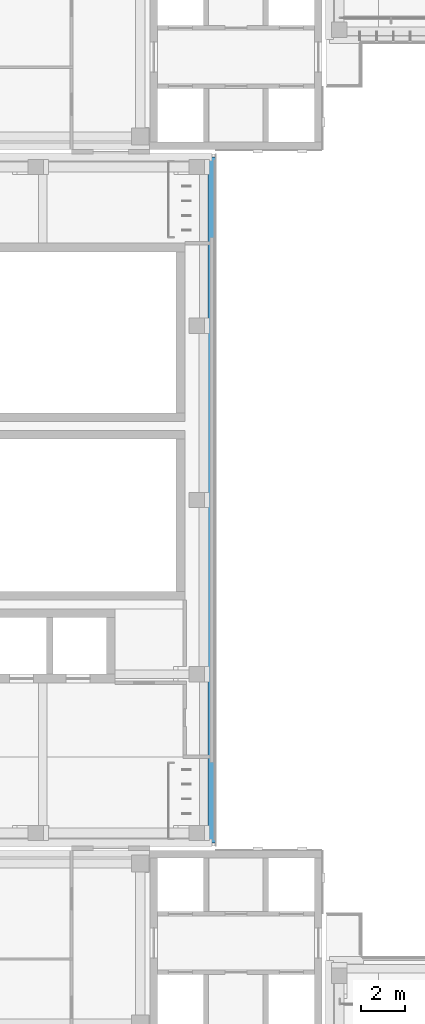
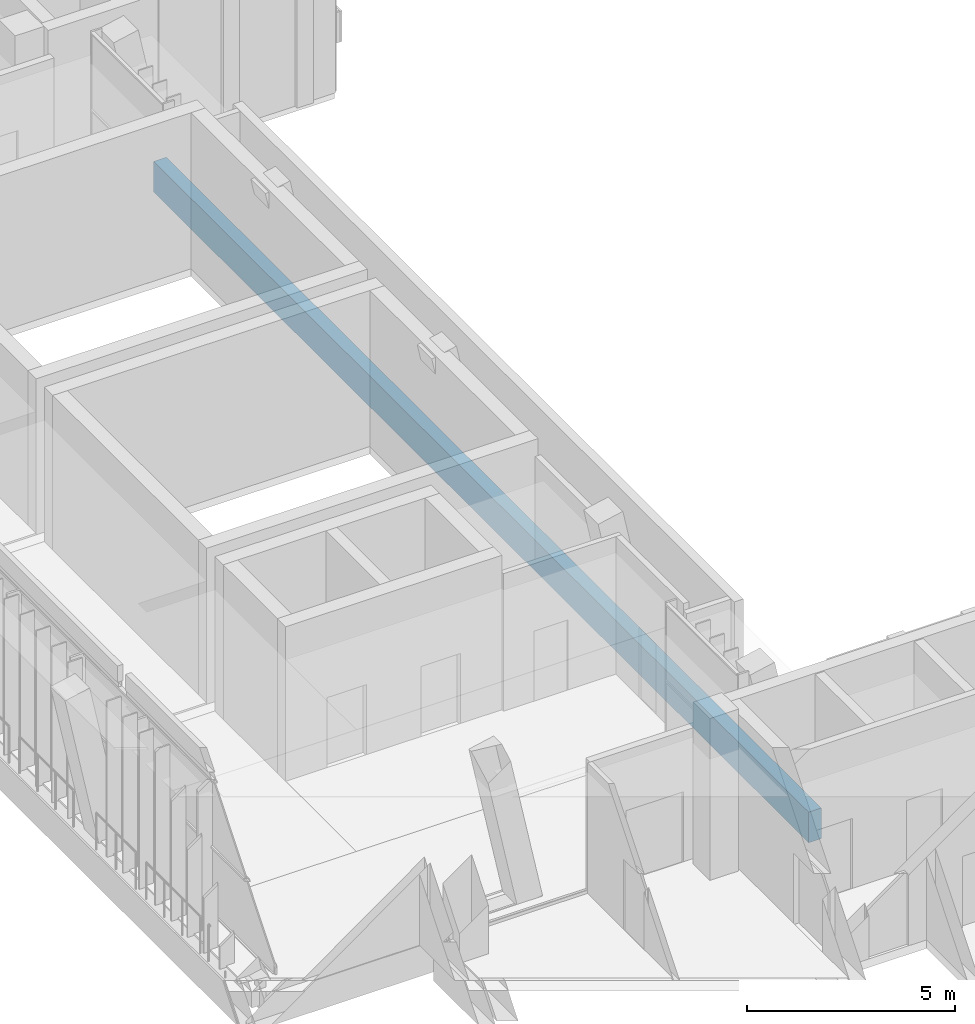
# One storey, part 16 of 73: 1 beam.
"""IFC4 building model written with IfcOpenShell, lengths in metres."""

from ifc_helpers import new_model, si_unit, direction, frame, origin, origin_2d, place, context, subcontext, project, spatial, rectangle, extrude, material, material_profile, profile_set, type_object, element, save


model = new_model("IFC4")

# Units and contexts
model_context = context("Model", 3, precision=1e-05, world=origin(), true_north=direction((0.0, 1.0)))
body_context = subcontext(model_context, "Body", "Model", "MODEL_VIEW")
ifc_project = project(units=[si_unit("LENGTHUNIT", "METRE"), si_unit("AREAUNIT", "SQUARE_METRE"), si_unit("VOLUMEUNIT", "CUBIC_METRE"), si_unit("PLANEANGLEUNIT", "RADIAN"), si_unit("MASSUNIT", "GRAM", prefix="KILO")], contexts=[model_context])

# Site, building, storey
site_placement = place(None, origin())
site = spatial("IfcSite", under=ifc_project, at=site_placement, CompositionType="ELEMENT")
building_placement = place(site_placement, origin())
building = spatial("IfcBuilding", under=site, at=building_placement, Name="Lantern Court Media Centre", CompositionType="ELEMENT")
storey_placement = place(building_placement, frame((0.0, 0.0, 24.0)))
storey = spatial("IfcBuildingStorey", under=building, at=storey_placement, Name="L05", CompositionType="ELEMENT", Elevation=24.0)

# Beam
ifc_material = material(Name="Concrete C35", Category="concrete")
ifc_material_profile = material_profile(ifc_material, rectangle(XDim=0.35009765625, YDim=0.89990234375, at=origin_2d()), Name="RC 350x900")
ifc_profile_set = profile_set([ifc_material_profile], Name="Concrete C35")
beam_type = type_object("IfcBeamType", Name="RC BEAM 350x900", PredefinedType="BEAM", material=ifc_profile_set)
beam_placement = place(storey_placement, frame((18.85009765625, 64.25, -0.449951171875), z_axis=(0.0, 1.0, 0.0), x_axis=(-1.0, 0.0, 0.0)))
element("IfcBeam", 1, at=beam_placement, inside=storey, type_object=beam_type, Name="EB-W-L05-B", PredefinedType="BEAM", context=body_context, shape_type="SweptSolid", body=[
    extrude(rectangle(XDim=0.35009765625, YDim=0.89990234375, at=origin_2d()), origin(), (0.0, 0.0, 1.0), 31.5),
])

save(model, "model.ifc")
